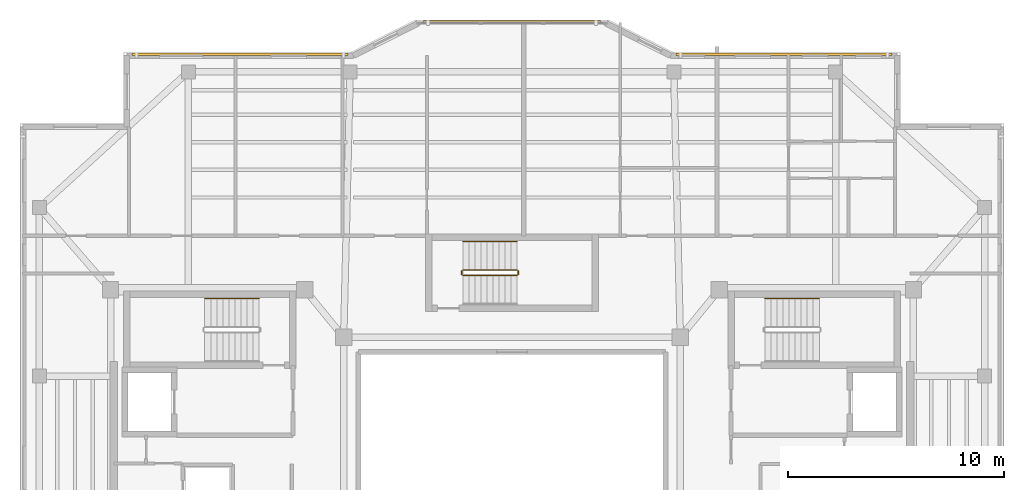
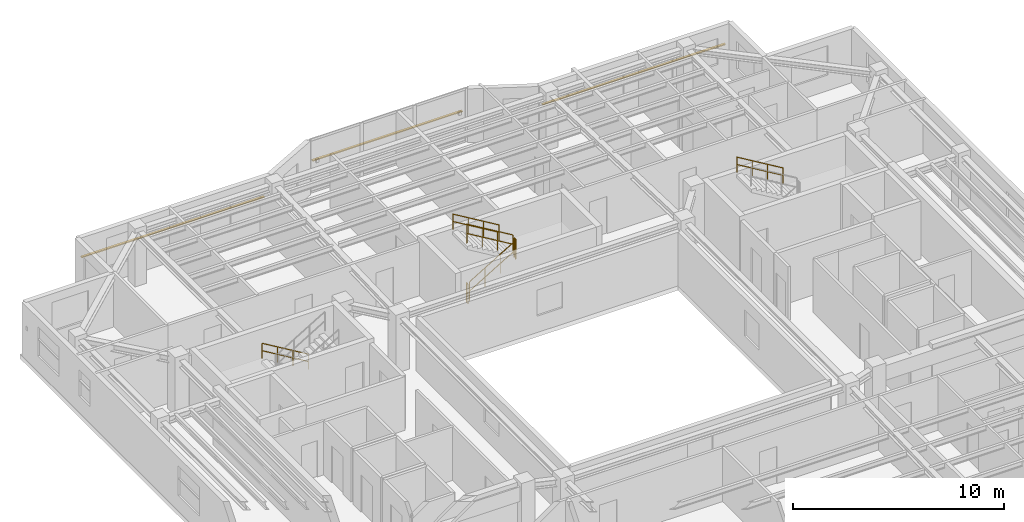
# One storey, part 14 of 14: 7 railings, 3 shading devices.
"""IFC4 building model written with IfcOpenShell, lengths in metres."""

from ifc_helpers import new_model, si_unit, direction, frame, origin, origin_2d, place, context, subcontext, project, spatial, rectangle, circle, extrude, material, material_profile, profile_set, type_object, element, save


model = new_model("IFC4")

# Units and contexts
model_context = context("Model", 3, precision=1e-05, world=origin(), true_north=direction((0.0, 1.0)))
body_context = subcontext(model_context, "Body", "Model", "MODEL_VIEW")
ifc_project = project(units=[si_unit("LENGTHUNIT", "METRE"), si_unit("AREAUNIT", "SQUARE_METRE"), si_unit("VOLUMEUNIT", "CUBIC_METRE"), si_unit("PLANEANGLEUNIT", "RADIAN"), si_unit("MASSUNIT", "GRAM", prefix="KILO")], contexts=[model_context])

# Site, building, storey
site_placement = place(None, origin())
site = spatial("IfcSite", under=ifc_project, at=site_placement, CompositionType="ELEMENT")
building_placement = place(site_placement, origin())
building = spatial("IfcBuilding", under=site, at=building_placement, Name="Tarnavaz Court Tower", CompositionType="ELEMENT")
storey_placement = place(building_placement, frame((0.0, 0.0, 254.89990234375)))
storey = spatial("IfcBuildingStorey", under=building, at=storey_placement, Name="L69", CompositionType="ELEMENT", Elevation=254.89990234375)

# Railings
ifc_material_1 = material(Name="Brushed Stainless Steel", Category="steel")
railing_type_1 = type_object("IfcRailingType", Name="RL-HANDRAIL-900", PredefinedType="HANDRAIL", material=ifc_material_1)
for number, where, name in (
    (1, (-11.719970703125, 9.590087890625, 0.16748046875), "L69 ST-W1 stair handrail 1"),
    (2, (14.239990234375, 9.590087890625, 1.842529296875), "L69 ST-E1 stair handrail 2"),
    (3, (0.239990234375, 12.239990234375, 1.842529296875), "L69 ST-N1 stair handrail 2"),
):
    element("IfcRailing", number, at=place(storey_placement, frame(where)), inside=storey, type_object=railing_type_1, Name=name, PredefinedType="HANDRAIL", context=body_context, shape_type="SweptSolid", body=[
        extrude(circle(Radius=0.02392578125, at=origin_2d()), frame((0.0, 0.0, 0.8759765625), z_axis=(-0.858159760407, 0.0, 0.513382728203), x_axis=(0.0, -1.0, 0.0)), (0.0, 0.0, 1.0), 2.9365234375),
        extrude(circle(Radius=0.02392578125, at=origin_2d()), frame((0.0, 0.0, 0.449951171875), z_axis=(-0.858159760407, 0.0, 0.513382728203), x_axis=(0.0, -1.0, 0.0)), (0.0, 0.0, 1.0), 2.9365234375),
        extrude(circle(Radius=0.02099609375, at=origin_2d()), origin(), (0.0, 0.0, 1.0), 0.851806640625),
        extrude(circle(Radius=0.02099609375, at=origin_2d()), frame((-0.840087890625, 0.0, 0.50244140625)), (0.0, 0.0, 1.0), 0.851806640625),
        extrude(circle(Radius=0.02099609375, at=origin_2d()), frame((-1.679931640625, 0.0, 1.005126953125)), (0.0, 0.0, 1.0), 0.851806640625),
        extrude(circle(Radius=0.02099609375, at=origin_2d()), frame((-2.52001953125, 0.0, 1.507568359375)), (0.0, 0.0, 1.0), 0.851806640625),
    ])
ifc_material_2 = material(Name="Galvanized Painted Tubular Steel", Category="steel")
railing_type_2 = type_object("IfcRailingType", Name="RL-STGUARD-1120", PredefinedType="GUARDRAIL", material=ifc_material_2)
railing_1_placement = place(storey_placement, frame((-2.280029296875, 10.669921875, 0.16748046875)))
element("IfcRailing", 4, at=railing_1_placement, inside=storey, type_object=railing_type_2, Name="L69 ST-N1 stair guard 1", PredefinedType="GUARDRAIL", context=body_context, shape_type="SweptSolid", body=[
    extrude(circle(Radius=0.02392578125, at=origin_2d()), frame((0.0, 0.0, 1.09619140625), z_axis=(0.858159760407, 0.0, 0.513382728203), x_axis=(0.0, 1.0, 0.0)), (0.0, 0.0, 1.0), 2.9365234375),
    extrude(circle(Radius=0.02392578125, at=origin_2d()), frame((0.0, 0.0, 0.56005859375), z_axis=(0.858159760407, 0.0, 0.513382728203), x_axis=(0.0, 1.0, 0.0)), (0.0, 0.0, 1.0), 2.9365234375),
    extrude(circle(Radius=0.02099609375, at=origin_2d()), origin(), (0.0, 0.0, 1.0), 1.072021484375),
    extrude(circle(Radius=0.02099609375, at=origin_2d()), frame((0.840087890625, 0.0, 0.50244140625)), (0.0, 0.0, 1.0), 1.072021484375),
    extrude(circle(Radius=0.02099609375, at=origin_2d()), frame((1.679931640625, 0.0, 1.005126953125)), (0.0, 0.0, 1.0), 1.072021484375),
    extrude(circle(Radius=0.02099609375, at=origin_2d()), frame((2.52001953125, 0.0, 1.507568359375)), (0.0, 0.0, 1.0), 1.072021484375),
])
railing_2_placement = place(storey_placement, frame((0.2900390625, 10.719970703125, 1.675048828125)))
element("IfcRailing", 5, at=railing_2_placement, inside=storey, type_object=railing_type_2, Name="L69 ST-N1 stair guard 2", PredefinedType="GUARDRAIL", context=body_context, shape_type="SweptSolid", body=[
    extrude(circle(Radius=0.02392578125, at=origin_2d()), frame((0.0, 0.0, 1.09619140625), z_axis=(0.0, 1.0, 0.0), x_axis=(-1.0, 0.0, 0.0)), (0.0, 0.0, 1.0), 0.150146484375),
    extrude(circle(Radius=0.02392578125, at=origin_2d()), frame((0.0, 0.0, 0.56005859375), z_axis=(0.0, 1.0, 0.0), x_axis=(-1.0, 0.0, 0.0)), (0.0, 0.0, 1.0), 0.150146484375),
    extrude(circle(Radius=0.02099609375, at=origin_2d()), origin(), (0.0, 0.0, 1.0), 1.072021484375),
    extrude(circle(Radius=0.02099609375, at=origin_2d()), frame((0.0, 0.150146484375, 0.0)), (0.0, 0.0, 1.0), 1.072021484375),
])
railing_3_placement = place(storey_placement, frame((0.239990234375, 10.919921875, 1.842529296875)))
element("IfcRailing", 6, at=railing_3_placement, inside=storey, type_object=railing_type_2, Name="L69 ST-N1 stair guard 3", PredefinedType="GUARDRAIL", context=body_context, shape_type="SweptSolid", body=[
    extrude(circle(Radius=0.02392578125, at=origin_2d()), frame((0.0, 0.0, 1.09619140625), z_axis=(-0.858159760407, 0.0, 0.513382728203), x_axis=(0.0, -1.0, 0.0)), (0.0, 0.0, 1.0), 2.9365234375),
    extrude(circle(Radius=0.02392578125, at=origin_2d()), frame((0.0, 0.0, 0.56005859375), z_axis=(-0.858159760407, 0.0, 0.513382728203), x_axis=(0.0, -1.0, 0.0)), (0.0, 0.0, 1.0), 2.9365234375),
    extrude(circle(Radius=0.02099609375, at=origin_2d()), origin(), (0.0, 0.0, 1.0), 1.072021484375),
    extrude(circle(Radius=0.02099609375, at=origin_2d()), frame((-0.840087890625, 0.0, 0.50244140625)), (0.0, 0.0, 1.0), 1.072021484375),
    extrude(circle(Radius=0.02099609375, at=origin_2d()), frame((-1.679931640625, 0.0, 1.005126953125)), (0.0, 0.0, 1.0), 1.072021484375),
    extrude(circle(Radius=0.02099609375, at=origin_2d()), frame((-2.52001953125, 0.0, 1.507568359375)), (0.0, 0.0, 1.0), 1.072021484375),
])
railing_4_placement = place(storey_placement, frame((-2.330078125, 10.719970703125, 0.0)))
element("IfcRailing", 7, at=railing_4_placement, inside=storey, type_object=railing_type_2, Name="L69 ST-N1 stair guard 4", PredefinedType="GUARDRAIL", context=body_context, shape_type="SweptSolid", body=[
    extrude(circle(Radius=0.02392578125, at=origin_2d()), frame((0.0, 0.0, 1.09619140625), z_axis=(0.0, 1.0, 0.0), x_axis=(-1.0, 0.0, 0.0)), (0.0, 0.0, 1.0), 0.150146484375),
    extrude(circle(Radius=0.02392578125, at=origin_2d()), frame((0.0, 0.0, 0.56005859375), z_axis=(0.0, 1.0, 0.0), x_axis=(-1.0, 0.0, 0.0)), (0.0, 0.0, 1.0), 0.150146484375),
    extrude(circle(Radius=0.02099609375, at=origin_2d()), origin(), (0.0, 0.0, 1.0), 1.072021484375),
    extrude(circle(Radius=0.02099609375, at=origin_2d()), frame((0.0, 0.150146484375, 0.0)), (0.0, 0.0, 1.0), 1.072021484375),
])

# Shading devices
ifc_material_3 = material(Name="Kiln-Fired Khorasan Terracotta Ceramic", Category="masonry")
ifc_material_profile = material_profile(ifc_material_3, rectangle(XDim=0.1201171875, YDim=0.06005859375, at=origin_2d()), Name="TC BAGUETTE 120X60")
ifc_profile_set = profile_set([ifc_material_profile], Name="Kiln-Fired Khorasan Terracotta Ceramic")
shading_device_type = type_object("IfcShadingDeviceType", Name="SD-BAG-120", PredefinedType="USERDEFINED", material=ifc_profile_set)
shading_device_1_placement = place(storey_placement, frame((-17.60009765625, 20.909912109375, 1.85009765625), z_axis=(1.0, 0.0, 0.0), x_axis=(0.0, 1.0, 0.0)))
element("IfcShadingDevice", 8, at=shading_device_1_placement, inside=storey, type_object=shading_device_type, Name="L69 Terracotta Baguette Screen FBG05", ObjectType="BAGUETTE", PredefinedType="USERDEFINED", context=body_context, shape_type="SweptSolid", body=[
    extrude(rectangle(XDim=0.1201171875, YDim=0.06005859375, at=origin_2d()), origin(), (0.0, 0.0, 1.0), 10.0),
])
shading_device_2_placement = place(storey_placement, frame((-4.10009765625, 22.409912109375, 1.800048828125), z_axis=(1.0, 0.0, 0.0), x_axis=(0.0, 1.0, 0.0)))
element("IfcShadingDevice", 9, at=shading_device_2_placement, inside=storey, type_object=shading_device_type, Name="L69 Terracotta Baguette Screen PBG7", ObjectType="BAGUETTE", PredefinedType="USERDEFINED", context=body_context, shape_type="SweptSolid", body=[
    extrude(rectangle(XDim=0.1201171875, YDim=0.06005859375, at=origin_2d()), origin(), (0.0, 0.0, 1.0), 8.2001953125),
])
shading_device_3_placement = place(storey_placement, frame((7.60009765625, 20.909912109375, 1.85009765625), z_axis=(1.0, 0.0, 0.0), x_axis=(0.0, 1.0, 0.0)))
element("IfcShadingDevice", 10, at=shading_device_3_placement, inside=storey, type_object=shading_device_type, Name="L69 Terracotta Baguette Screen FBG09", ObjectType="BAGUETTE", PredefinedType="USERDEFINED", context=body_context, shape_type="SweptSolid", body=[
    extrude(rectangle(XDim=0.1201171875, YDim=0.06005859375, at=origin_2d()), origin(), (0.0, 0.0, 1.0), 10.0),
])

save(model, "model.ifc")
